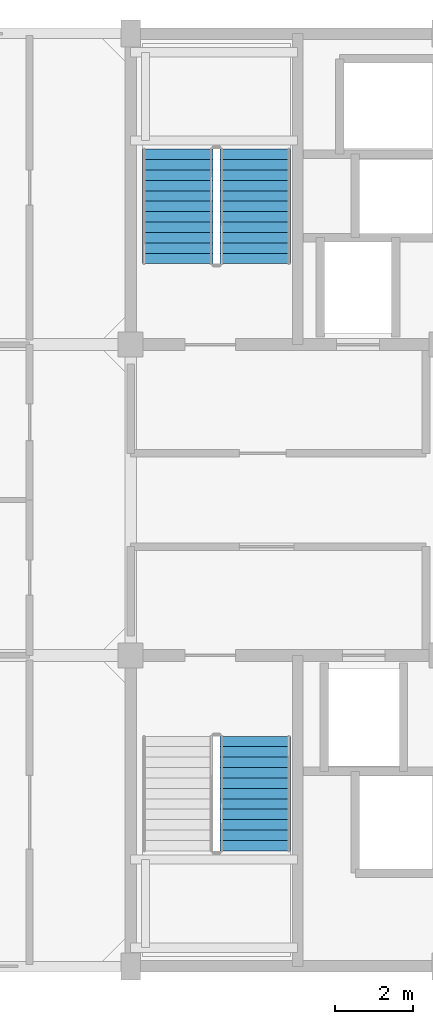
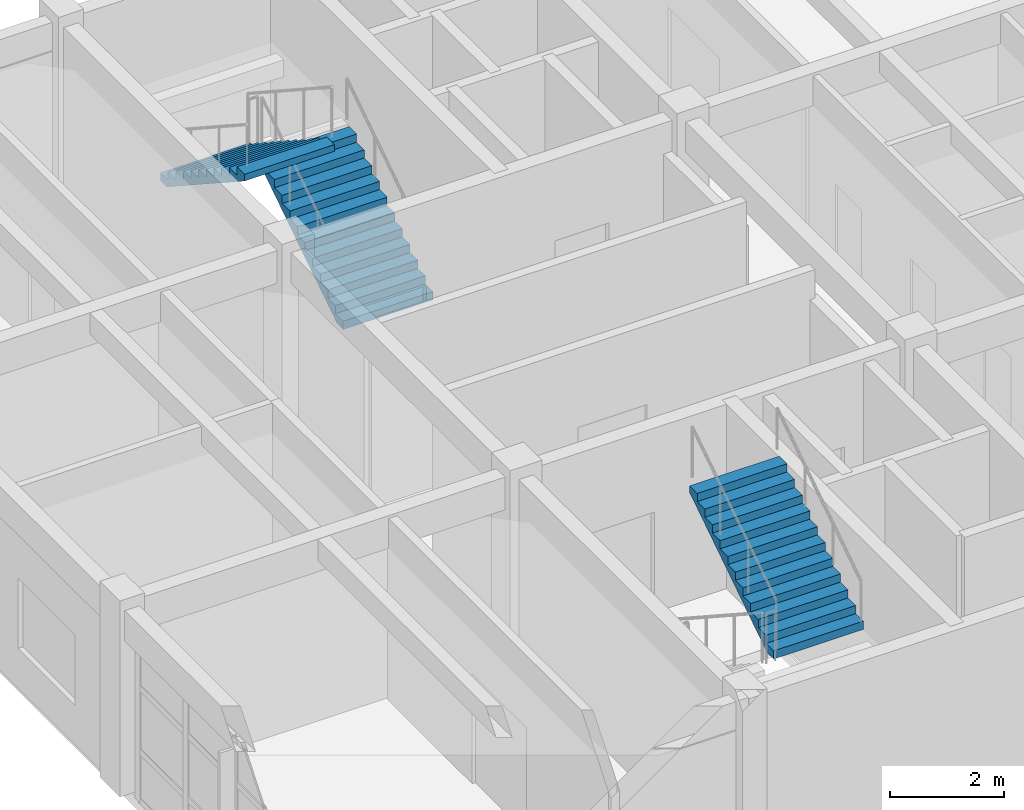
# One storey, part 14 of 16: 3 stair flights, 2 elements without a shape of their own.
"""IFC4 building model written with IfcOpenShell, lengths in metres."""

import ifcopenshell
import ifcopenshell.guid

model = None  # the IFC model being written
_history = None  # IfcOwnerHistory: only IFC2X3 demands one
_inside = {}  # id of a spatial element -> (the spatial element, [elements in it])
_under = {}  # id of a project, library or spatial element -> (it, [spatial elements below it])
_declared = {}  # id of a project -> (the project, [libraries it declares])
_typed = {}  # id of a type object -> (the type object, [elements of that type])
_made_of = {}  # id of a material, layer set ... -> (it, [elements and type objects made of it])


def new_model(schema):
    """Start an empty IFC model of exactly this schema.

    Asked for "IFC4X3", IfcOpenShell would pick the latest addendum, in which some entities
    have other attributes; the version numbers below select the first issue.
    IFC2X3 requires an IfcOwnerHistory on every rooted entity: one is made here for all.
    """
    global model, _history
    if schema == "IFC4X3":
        model = ifcopenshell.file(schema_version=(4, 3, 0, 0))
    else:
        model = ifcopenshell.file(schema=schema)
    _inside.clear()
    _under.clear()
    _declared.clear()
    _typed.clear()
    _made_of.clear()
    _history = None
    if model.schema == "IFC2X3":
        org = make("IfcOrganization", Name="unknown")
        user = make(
            "IfcPersonAndOrganization",
            ThePerson=make("IfcPerson", FamilyName="unknown"),
            TheOrganization=org,
        )
        app = make(
            "IfcApplication",
            ApplicationDeveloper=org,
            Version="unknown",
            ApplicationFullName="unknown",
            ApplicationIdentifier="unknown",
        )
        _history = make(
            "IfcOwnerHistory",
            OwningUser=user,
            OwningApplication=app,
            ChangeAction="ADDED",
            CreationDate=0,
        )
    return model


def make(cls, **values):
    """One entity of the class cls with the attributes given. An attribute that is None is left unset."""
    return model.create_entity(
        cls, **{name: value for name, value in values.items() if value is not None}
    )


def rooted(cls, **values):
    """An entity with a GlobalId (a new one), such as an element, a storey or a relation."""
    return make(cls, GlobalId=ifcopenshell.guid.new(), OwnerHistory=_history, **values)


def si_unit(unit_type, name, prefix=None):
    """IfcSIUnit, for example si_unit("LENGTHUNIT", "METRE", prefix="MILLI")."""
    return make("IfcSIUnit", UnitType=unit_type, Prefix=prefix, Name=name)


def assignment(units):
    """IfcUnitAssignment: the units of a project."""
    return None if units is None else make("IfcUnitAssignment", Units=units)


def point(xyz):
    """IfcCartesianPoint."""
    return None if xyz is None else make("IfcCartesianPoint", Coordinates=xyz)


def direction(xyz):
    """IfcDirection."""
    return None if xyz is None else make("IfcDirection", DirectionRatios=xyz)


def frame(location, z_axis=None, x_axis=None):
    """IfcAxis2Placement3D, a coordinate frame: its origin and axes. An axis left out is left unset."""
    return make(
        "IfcAxis2Placement3D",
        Location=point(location),
        Axis=direction(z_axis),
        RefDirection=direction(x_axis),
    )


def origin():
    """The frame at (0, 0, 0) with its axes left unset."""
    return frame((0.0, 0.0, 0.0))


def place(relative_to, where):
    """IfcLocalPlacement: puts the frame where relative to a parent placement (None: the world)."""
    return make(
        "IfcLocalPlacement", PlacementRelTo=relative_to, RelativePlacement=where
    )


def context(
    kind, dimensions, precision=None, world=None, true_north=None, identifier=None
):
    """IfcGeometricRepresentationContext, for example the 3D "Model" context."""
    return make(
        "IfcGeometricRepresentationContext",
        ContextIdentifier=identifier,
        ContextType=kind,
        CoordinateSpaceDimension=dimensions,
        Precision=precision,
        WorldCoordinateSystem=world,
        TrueNorth=true_north,
    )


def subcontext(parent, identifier, kind, view, scale=None):
    """IfcGeometricRepresentationSubContext, for example "Body" below "Model"."""
    return make(
        "IfcGeometricRepresentationSubContext",
        ContextIdentifier=identifier,
        ContextType=kind,
        ParentContext=parent,
        TargetScale=scale,
        TargetView=view,
    )


def project(units=None, contexts=None):
    """IfcProject with its units and contexts."""
    return rooted(
        "IfcProject",
        Name="project",
        RepresentationContexts=contexts,
        UnitsInContext=assignment(units),
    )


def spatial(cls, under=None, at=None, **own):
    """A site, building, storey or space (cls), placed at a placement, below another one or the project."""
    s = rooted(cls, ObjectPlacement=at, **own)
    if under is not None:
        _under.setdefault(under.id(), (under, []))[1].append(s)
    return s


def polyline(points):
    """IfcPolyline through the points."""
    return make("IfcPolyline", Points=[point(p) for p in points])


def outline(outer, holes=None, kind="AREA"):
    """IfcArbitraryClosedProfileDef: a profile drawn as a closed curve; with holes, ...WithVoids."""
    if holes is None:
        return make("IfcArbitraryClosedProfileDef", ProfileType=kind, OuterCurve=outer)
    return make(
        "IfcArbitraryProfileDefWithVoids",
        ProfileType=kind,
        OuterCurve=outer,
        InnerCurves=holes,
    )


def extrude(swept, where, along, depth):
    """IfcExtrudedAreaSolid: the profile swept, set in the frame where, extruded along a direction by depth."""
    return make(
        "IfcExtrudedAreaSolid",
        SweptArea=swept,
        Position=where,
        ExtrudedDirection=direction(along),
        Depth=depth,
    )


def shape(context_of_items, identifier, shape_type, items):
    """IfcShapeRepresentation: the items that make up one representation, for example the "Body"."""
    return make(
        "IfcShapeRepresentation",
        ContextOfItems=context_of_items,
        RepresentationIdentifier=identifier,
        RepresentationType=shape_type,
        Items=items,
    )


def material(Name=None, Category=None):
    """IfcMaterial."""
    return make("IfcMaterial", Name=Name, Category=Category)


def made_of(thing, what):
    """Note that an element or type object is made of a material, layer set ...; save() writes the relation."""
    if what is not None:
        _made_of.setdefault(what.id(), (what, []))[1].append(thing)
    return thing


def type_object(cls, material=None, **own):
    """A type object (cls), such as IfcWallType, which elements share."""
    return made_of(rooted(cls, **own), material)


def element(
    cls,
    number,
    at=None,
    inside=None,
    cuts=None,
    type_object=None,
    material=None,
    context=None,
    identifier="Body",
    shape_type=None,
    held_by="IfcProductDefinitionShape",
    body=None,
    shapes=None,
    **own,
):
    """One element of the class cls, such as IfcWall. Its Tag is "e" and its number.

    at: its placement. inside: the storey or other place that contains it. cuts: it is an
    opening in that element (IfcRelVoidsElement). A single representation is given by context,
    identifier, shape_type and body (its items); several are given by shapes. held_by: the class
    of the entity that holds the representations. save() writes the other relations.
    """
    e = rooted(cls, Tag="e%d" % number, ObjectPlacement=at, **own)
    if body is not None:
        shapes = [shape(context, identifier, shape_type, body)]
    if shapes is not None:
        e.Representation = make(held_by, Representations=shapes)
    if inside is not None:
        _inside.setdefault(inside.id(), (inside, []))[1].append(e)
    if cuts is not None:
        rooted(
            "IfcRelVoidsElement", RelatingBuildingElement=cuts, RelatedOpeningElement=e
        )
    if type_object is not None:
        _typed.setdefault(type_object.id(), (type_object, []))[1].append(e)
    return made_of(e, material)


def aggregate(whole, parts):
    """IfcRelAggregates: a whole, such as a stair, and the parts it consists of."""
    return rooted("IfcRelAggregates", RelatingObject=whole, RelatedObjects=parts)


def save(model, path):
    """Write the relations noted so far, then the file.

    IfcRelAggregates (storeys below a building ...), IfcRelContainedInSpatialStructure (elements
    in a storey), IfcRelDefinesByType, IfcRelAssociatesMaterial and IfcRelDeclares: one each for
    every whole, place, type object, material and project.
    """
    for whole, parts in _under.values():
        aggregate(whole, parts)
    for where, things in _inside.values():
        rooted(
            "IfcRelContainedInSpatialStructure",
            RelatedElements=things,
            RelatingStructure=where,
        )
    for kind, things in _typed.values():
        rooted("IfcRelDefinesByType", RelatedObjects=things, RelatingType=kind)
    for what, things in _made_of.values():
        rooted("IfcRelAssociatesMaterial", RelatedObjects=things, RelatingMaterial=what)
    for by, libraries in _declared.values():
        rooted("IfcRelDeclares", RelatingContext=by, RelatedDefinitions=libraries)
    model.write(path)


model = new_model("IFC4")

# Units and contexts
model_context = context("Model", 3, precision=1e-05, world=origin(), true_north=direction((0.0, 1.0)))
body_context = subcontext(model_context, "Body", "Model", "MODEL_VIEW")
ifc_project = project(units=[si_unit("LENGTHUNIT", "METRE"), si_unit("AREAUNIT", "SQUARE_METRE"), si_unit("VOLUMEUNIT", "CUBIC_METRE"), si_unit("PLANEANGLEUNIT", "RADIAN"), si_unit("MASSUNIT", "GRAM", prefix="KILO")], contexts=[model_context])

# Site, building, storey
site_placement = place(None, origin())
site = spatial("IfcSite", under=ifc_project, at=site_placement, CompositionType="ELEMENT")
building_placement = place(site_placement, origin())
building = spatial("IfcBuilding", under=site, at=building_placement, Name="Canggui Botanical Conservatory", CompositionType="ELEMENT")
storey_placement = place(building_placement, frame((0.0, 0.0, 65.39990234375)))
storey = spatial("IfcBuildingStorey", under=building, at=storey_placement, Name="L16", CompositionType="ELEMENT", Elevation=65.39990234375)

# Stair, stair flight
ifc_material = material(Name="Concrete C35", Category="concrete")
stair_type = type_object("IfcStairType", Name="STR-TYPE-6", PredefinedType="HALF_TURN_STAIR", material=ifc_material)
stair_1_placement = place(storey_placement, origin())
stair_1 = element("IfcStair", 1, at=stair_1_placement, inside=storey, type_object=stair_type, Name="L16 Tower South Smoke-Proof Stair ST-T1", PredefinedType="HALF_TURN_STAIR")
stair_flight_type = type_object("IfcStairFlightType", Name="SFL-TYPE-6", PredefinedType="STRAIGHT", material=ifc_material)
stair_flight_1_placement = place(storey_placement, frame((157.2099609375, 44.971923828125, 2.10009765625), z_axis=(0.0, 0.0, 1.0), x_axis=(0.0, 1.0, 0.0)))
stair_flight_1 = element("IfcStairFlight", 2, at=stair_flight_1_placement, type_object=stair_flight_type, Name="ST-T1 flight 2", NumberOfRisers=12, NumberOfTreads=11, PredefinedType="STRAIGHT", RiserHeight=0.175, TreadLength=0.268, context=body_context, shape_type="SweptSolid", body=[
    extrude(outline(polyline([(0.0, 0.0), (0.0, 0.175048828125), (0.26806640625, 0.175048828125), (0.26806640625, 0.35009765625), (0.535888671875, 0.35009765625), (0.535888671875, 0.52490234375), (0.803955078125, 0.52490234375), (0.803955078125, 0.699951171875), (1.072021484375, 0.699951171875), (1.072021484375, 0.875), (1.340087890625, 0.875), (1.340087890625, 1.050048828125), (1.60791015625, 1.050048828125), (1.60791015625, 1.22509765625), (1.8759765625, 1.22509765625), (1.8759765625, 1.39990234375), (2.14404296875, 1.39990234375), (2.14404296875, 1.574951171875), (2.412109375, 1.574951171875), (2.412109375, 1.75), (2.679931640625, 1.75), (2.679931640625, 1.925048828125), (2.947998046875, 1.925048828125), (2.947998046875, 2.10009765625), (2.947998046875, 1.781494140625), (0.2197265625, 0.0), (0.0, 0.0)])), frame((0.0, 0.91015625, 0.0), z_axis=(0.0, -1.0, 0.0), x_axis=(1.0, 0.0, 0.0)), (0.0, 0.0, 1.0), 1.820068359375),
])
aggregate(stair_1, [stair_flight_1])

# Stair, stair flights
stair_2_placement = place(storey_placement, origin())
stair_2 = element("IfcStair", 3, at=stair_2_placement, inside=storey, type_object=stair_type, Name="L16 Tower North Smoke-Proof Stair ST-T2", PredefinedType="HALF_TURN_STAIR")
stair_flight_2_placement = place(storey_placement, frame((157.2099609375, 60.080078125, 0.0), z_axis=(0.0, 0.0, 1.0), x_axis=(0.0, 1.0, 0.0)))
stair_flight_2 = element("IfcStairFlight", 4, at=stair_flight_2_placement, type_object=stair_flight_type, Name="ST-T2 flight 1", NumberOfRisers=12, NumberOfTreads=11, PredefinedType="STRAIGHT", RiserHeight=0.175, TreadLength=0.268, context=body_context, shape_type="SweptSolid", body=[
    extrude(outline(polyline([(0.0, 0.0), (0.0, 0.175048828125), (0.26806640625, 0.175048828125), (0.26806640625, 0.35009765625), (0.535888671875, 0.35009765625), (0.535888671875, 0.52490234375), (0.803955078125, 0.52490234375), (0.803955078125, 0.699951171875), (1.072021484375, 0.699951171875), (1.072021484375, 0.875), (1.340087890625, 0.875), (1.340087890625, 1.050048828125), (1.60791015625, 1.050048828125), (1.60791015625, 1.22509765625), (1.8759765625, 1.22509765625), (1.8759765625, 1.39990234375), (2.14404296875, 1.39990234375), (2.14404296875, 1.574951171875), (2.412109375, 1.574951171875), (2.412109375, 1.75), (2.679931640625, 1.75), (2.679931640625, 1.925048828125), (2.947998046875, 1.925048828125), (2.947998046875, 2.10009765625), (2.947998046875, 1.781494140625), (0.2197265625, 0.0), (0.0, 0.0)])), frame((0.0, 0.91015625, 0.0), z_axis=(0.0, -1.0, 0.0), x_axis=(1.0, 0.0, 0.0)), (0.0, 0.0, 1.0), 1.820068359375),
])
stair_flight_3_placement = place(storey_placement, frame((155.2099609375, 63.028076171875, 2.10009765625), z_axis=(0.0, 0.0, 1.0), x_axis=(0.0, -1.0, 0.0)))
stair_flight_3 = element("IfcStairFlight", 5, at=stair_flight_3_placement, type_object=stair_flight_type, Name="ST-T2 flight 2", NumberOfRisers=12, NumberOfTreads=11, PredefinedType="STRAIGHT", RiserHeight=0.175, TreadLength=0.268, context=body_context, shape_type="SweptSolid", body=[
    extrude(outline(polyline([(0.0, 0.0), (0.0, 0.175048828125), (0.26806640625, 0.175048828125), (0.26806640625, 0.35009765625), (0.535888671875, 0.35009765625), (0.535888671875, 0.52490234375), (0.803955078125, 0.52490234375), (0.803955078125, 0.699951171875), (1.072021484375, 0.699951171875), (1.072021484375, 0.875), (1.340087890625, 0.875), (1.340087890625, 1.050048828125), (1.60791015625, 1.050048828125), (1.60791015625, 1.22509765625), (1.8759765625, 1.22509765625), (1.8759765625, 1.39990234375), (2.14404296875, 1.39990234375), (2.14404296875, 1.574951171875), (2.412109375, 1.574951171875), (2.412109375, 1.75), (2.679931640625, 1.75), (2.679931640625, 1.925048828125), (2.947998046875, 1.925048828125), (2.947998046875, 2.10009765625), (2.947998046875, 1.781494140625), (0.2197265625, 0.0), (0.0, 0.0)])), frame((0.0, 0.91015625, 0.0), z_axis=(0.0, -1.0, 0.0), x_axis=(1.0, 0.0, 0.0)), (0.0, 0.0, 1.0), 1.820068359375),
])
aggregate(stair_2, [stair_flight_2, stair_flight_3])

save(model, "model.ifc")
